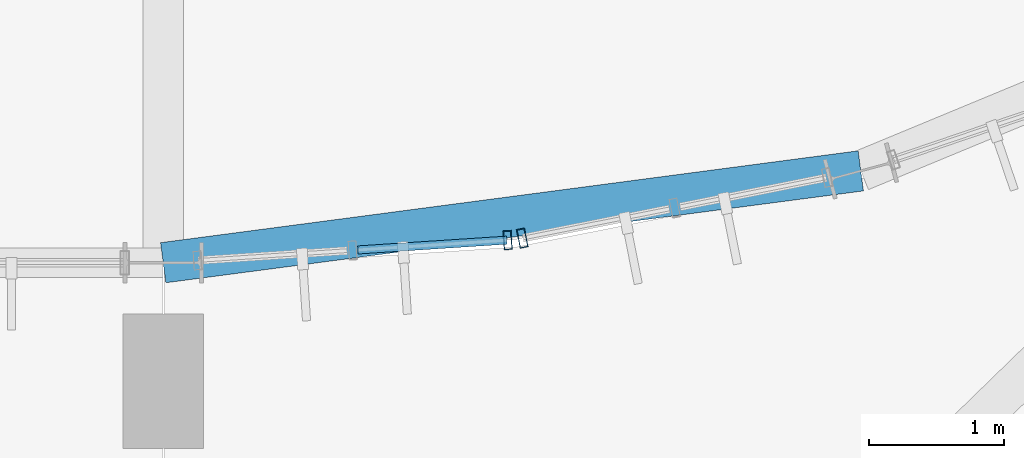
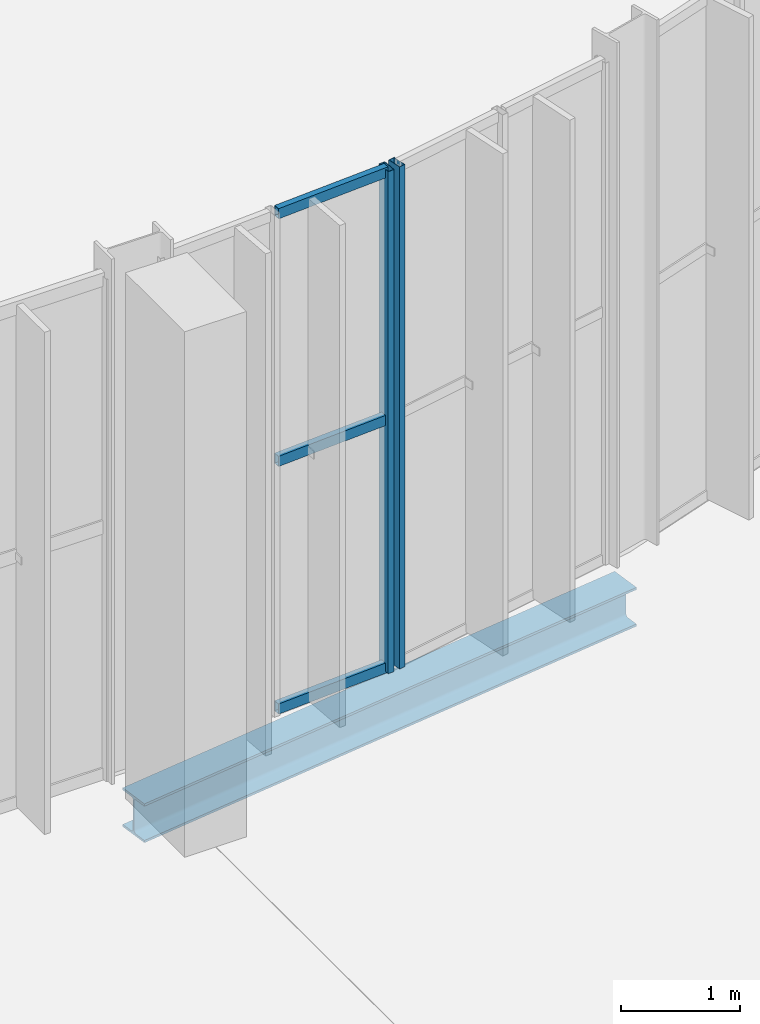
# One storey, part 47 of 158: 5 members, 1 beam, 2 elements without a shape of their own.
"""IFC4 building model written with IfcOpenShell, lengths in metres."""

import ifcopenshell
import ifcopenshell.guid

model = None  # the IFC model being written
_history = None  # IfcOwnerHistory: only IFC2X3 demands one
_inside = {}  # id of a spatial element -> (the spatial element, [elements in it])
_under = {}  # id of a project, library or spatial element -> (it, [spatial elements below it])
_declared = {}  # id of a project -> (the project, [libraries it declares])
_typed = {}  # id of a type object -> (the type object, [elements of that type])
_made_of = {}  # id of a material, layer set ... -> (it, [elements and type objects made of it])


def new_model(schema):
    """Start an empty IFC model of exactly this schema.

    Asked for "IFC4X3", IfcOpenShell would pick the latest addendum, in which some entities
    have other attributes; the version numbers below select the first issue.
    IFC2X3 requires an IfcOwnerHistory on every rooted entity: one is made here for all.
    """
    global model, _history
    if schema == "IFC4X3":
        model = ifcopenshell.file(schema_version=(4, 3, 0, 0))
    else:
        model = ifcopenshell.file(schema=schema)
    _inside.clear()
    _under.clear()
    _declared.clear()
    _typed.clear()
    _made_of.clear()
    _history = None
    if model.schema == "IFC2X3":
        org = make("IfcOrganization", Name="unknown")
        user = make(
            "IfcPersonAndOrganization",
            ThePerson=make("IfcPerson", FamilyName="unknown"),
            TheOrganization=org,
        )
        app = make(
            "IfcApplication",
            ApplicationDeveloper=org,
            Version="unknown",
            ApplicationFullName="unknown",
            ApplicationIdentifier="unknown",
        )
        _history = make(
            "IfcOwnerHistory",
            OwningUser=user,
            OwningApplication=app,
            ChangeAction="ADDED",
            CreationDate=0,
        )
    return model


def make(cls, **values):
    """One entity of the class cls with the attributes given. An attribute that is None is left unset."""
    return model.create_entity(
        cls, **{name: value for name, value in values.items() if value is not None}
    )


def rooted(cls, **values):
    """An entity with a GlobalId (a new one), such as an element, a storey or a relation."""
    return make(cls, GlobalId=ifcopenshell.guid.new(), OwnerHistory=_history, **values)


def si_unit(unit_type, name, prefix=None):
    """IfcSIUnit, for example si_unit("LENGTHUNIT", "METRE", prefix="MILLI")."""
    return make("IfcSIUnit", UnitType=unit_type, Prefix=prefix, Name=name)


def derived_unit(unit_type, elements):
    """IfcDerivedUnit: a product of units, each with its exponent."""
    return make(
        "IfcDerivedUnit",
        Elements=[
            make("IfcDerivedUnitElement", Unit=unit, Exponent=power)
            for unit, power in elements
        ],
        UnitType=unit_type,
    )


def assignment(units):
    """IfcUnitAssignment: the units of a project."""
    return None if units is None else make("IfcUnitAssignment", Units=units)


def point(xyz):
    """IfcCartesianPoint."""
    return None if xyz is None else make("IfcCartesianPoint", Coordinates=xyz)


def direction(xyz):
    """IfcDirection."""
    return None if xyz is None else make("IfcDirection", DirectionRatios=xyz)


def frame(location, z_axis=None, x_axis=None):
    """IfcAxis2Placement3D, a coordinate frame: its origin and axes. An axis left out is left unset."""
    return make(
        "IfcAxis2Placement3D",
        Location=point(location),
        Axis=direction(z_axis),
        RefDirection=direction(x_axis),
    )


def frame_2d(location, x_axis=None):
    """IfcAxis2Placement2D, a coordinate frame in the plane: its origin and x axis."""
    return make(
        "IfcAxis2Placement2D", Location=point(location), RefDirection=direction(x_axis)
    )


def origin():
    """The frame at (0, 0, 0) with its axes left unset."""
    return frame((0.0, 0.0, 0.0))


def origin_2d():
    """The frame at (0, 0) in the plane with its x axis left unset."""
    return frame_2d((0.0, 0.0))


def place(relative_to, where):
    """IfcLocalPlacement: puts the frame where relative to a parent placement (None: the world)."""
    return make(
        "IfcLocalPlacement", PlacementRelTo=relative_to, RelativePlacement=where
    )


def context(
    kind, dimensions, precision=None, world=None, true_north=None, identifier=None
):
    """IfcGeometricRepresentationContext, for example the 3D "Model" context."""
    return make(
        "IfcGeometricRepresentationContext",
        ContextIdentifier=identifier,
        ContextType=kind,
        CoordinateSpaceDimension=dimensions,
        Precision=precision,
        WorldCoordinateSystem=world,
        TrueNorth=true_north,
    )


def subcontext(parent, identifier, kind, view, scale=None):
    """IfcGeometricRepresentationSubContext, for example "Body" below "Model"."""
    return make(
        "IfcGeometricRepresentationSubContext",
        ContextIdentifier=identifier,
        ContextType=kind,
        ParentContext=parent,
        TargetScale=scale,
        TargetView=view,
    )


def project(units=None, contexts=None):
    """IfcProject with its units and contexts."""
    return rooted(
        "IfcProject",
        Name="project",
        RepresentationContexts=contexts,
        UnitsInContext=assignment(units),
    )


def spatial(cls, under=None, at=None, **own):
    """A site, building, storey or space (cls), placed at a placement, below another one or the project."""
    s = rooted(cls, ObjectPlacement=at, **own)
    if under is not None:
        _under.setdefault(under.id(), (under, []))[1].append(s)
    return s


def profile(cls, at=None, kind="AREA", **sizes):
    """A parametric profile (cls). Its sizes go by their IFC names, for example OverallWidth=200.0."""
    return make(cls, ProfileType=kind, Position=at, **sizes)


def hollow_rectangle(**sizes):
    """IfcRectangleHollowProfileDef."""
    return profile("IfcRectangleHollowProfileDef", **sizes)


def i_section(**sizes):
    """IfcIShapeProfileDef."""
    return profile("IfcIShapeProfileDef", **sizes)


def extrude(swept, where, along, depth):
    """IfcExtrudedAreaSolid: the profile swept, set in the frame where, extruded along a direction by depth."""
    return make(
        "IfcExtrudedAreaSolid",
        SweptArea=swept,
        Position=where,
        ExtrudedDirection=direction(along),
        Depth=depth,
    )


def shape(context_of_items, identifier, shape_type, items):
    """IfcShapeRepresentation: the items that make up one representation, for example the "Body"."""
    return make(
        "IfcShapeRepresentation",
        ContextOfItems=context_of_items,
        RepresentationIdentifier=identifier,
        RepresentationType=shape_type,
        Items=items,
    )


def material(Name=None, Category=None):
    """IfcMaterial."""
    return make("IfcMaterial", Name=Name, Category=Category)


def material_profile(
    of_material, cross_section, Name=None, Category=None, Priority=None
):
    """IfcMaterialProfile: a cross section and its material."""
    return make(
        "IfcMaterialProfile",
        Name=Name,
        Material=of_material,
        Profile=cross_section,
        Priority=Priority,
        Category=Category,
    )


def profile_set(profiles, Name=None, composite=None):
    """IfcMaterialProfileSet."""
    return make(
        "IfcMaterialProfileSet",
        Name=Name,
        MaterialProfiles=profiles,
        CompositeProfile=composite,
    )


def made_of(thing, what):
    """Note that an element or type object is made of a material, layer set ...; save() writes the relation."""
    if what is not None:
        _made_of.setdefault(what.id(), (what, []))[1].append(thing)
    return thing


def type_object(cls, material=None, **own):
    """A type object (cls), such as IfcWallType, which elements share."""
    return made_of(rooted(cls, **own), material)


def element(
    cls,
    number,
    at=None,
    inside=None,
    cuts=None,
    type_object=None,
    material=None,
    context=None,
    identifier="Body",
    shape_type=None,
    held_by="IfcProductDefinitionShape",
    body=None,
    shapes=None,
    **own,
):
    """One element of the class cls, such as IfcWall. Its Tag is "e" and its number.

    at: its placement. inside: the storey or other place that contains it. cuts: it is an
    opening in that element (IfcRelVoidsElement). A single representation is given by context,
    identifier, shape_type and body (its items); several are given by shapes. held_by: the class
    of the entity that holds the representations. save() writes the other relations.
    """
    e = rooted(cls, Tag="e%d" % number, ObjectPlacement=at, **own)
    if body is not None:
        shapes = [shape(context, identifier, shape_type, body)]
    if shapes is not None:
        e.Representation = make(held_by, Representations=shapes)
    if inside is not None:
        _inside.setdefault(inside.id(), (inside, []))[1].append(e)
    if cuts is not None:
        rooted(
            "IfcRelVoidsElement", RelatingBuildingElement=cuts, RelatedOpeningElement=e
        )
    if type_object is not None:
        _typed.setdefault(type_object.id(), (type_object, []))[1].append(e)
    return made_of(e, material)


def aggregate(whole, parts):
    """IfcRelAggregates: a whole, such as a stair, and the parts it consists of."""
    return rooted("IfcRelAggregates", RelatingObject=whole, RelatedObjects=parts)


def save(model, path):
    """Write the relations noted so far, then the file.

    IfcRelAggregates (storeys below a building ...), IfcRelContainedInSpatialStructure (elements
    in a storey), IfcRelDefinesByType, IfcRelAssociatesMaterial and IfcRelDeclares: one each for
    every whole, place, type object, material and project.
    """
    for whole, parts in _under.values():
        aggregate(whole, parts)
    for where, things in _inside.values():
        rooted(
            "IfcRelContainedInSpatialStructure",
            RelatedElements=things,
            RelatingStructure=where,
        )
    for kind, things in _typed.values():
        rooted("IfcRelDefinesByType", RelatedObjects=things, RelatingType=kind)
    for what, things in _made_of.values():
        rooted("IfcRelAssociatesMaterial", RelatedObjects=things, RelatingMaterial=what)
    for by, libraries in _declared.values():
        rooted("IfcRelDeclares", RelatingContext=by, RelatedDefinitions=libraries)
    model.write(path)


model = new_model("IFC4")

# Units and contexts
model_context = context("Model", 3, precision=1e-05, world=origin(), true_north=direction((0.0, 1.0)))
body_context = subcontext(model_context, "Body", "Model", "MODEL_VIEW")
ifc_project = project(units=[si_unit("LENGTHUNIT", "METRE"), si_unit("AREAUNIT", "SQUARE_METRE"), si_unit("VOLUMEUNIT", "CUBIC_METRE"), si_unit("PLANEANGLEUNIT", "RADIAN"), si_unit("MASSUNIT", "GRAM", prefix="KILO"), si_unit("THERMODYNAMICTEMPERATUREUNIT", "KELVIN"), si_unit("TIMEUNIT", "SECOND"), derived_unit("THERMALTRANSMITTANCEUNIT", [(si_unit("MASSUNIT", "GRAM", prefix="KILO"), 1), (si_unit("THERMODYNAMICTEMPERATUREUNIT", "KELVIN"), -1), (si_unit("TIMEUNIT", "SECOND"), -3)])], contexts=[model_context])

# Site, building, storey
site_placement = place(None, origin())
site = spatial("IfcSite", under=ifc_project, at=site_placement, CompositionType="ELEMENT")
building_placement = place(site_placement, origin())
building = spatial("IfcBuilding", under=site, at=building_placement, Name="Cambertide Market Hall", CompositionType="ELEMENT")
storey_placement = place(building_placement, origin())
storey = spatial("IfcBuildingStorey", under=building, at=storey_placement, Name="L01", CompositionType="ELEMENT", Elevation=0.0)

# Curtain wall, member
ifc_material_1 = material(Name="Marine Anodized Aluminium 6063-T6 AA25", Category="aluminium")
curtain_wall_type = type_object("IfcCurtainWallType", Name="Lantern Apse Chord Lower Curtain Wall", PredefinedType="USERDEFINED", material=ifc_material_1)
curtain_wall_1_placement = place(storey_placement, origin())
curtain_wall_1 = element("IfcCurtainWall", 1, at=curtain_wall_1_placement, inside=storey, type_object=curtain_wall_type, Name="Level 1 Curtain Wall CW-V1AE-L01-01", ObjectType="UNITIZED CURTAIN WALL", PredefinedType="USERDEFINED")
ifc_material_2 = material(Name="Champagne Marine Anodized Aluminium 6063-T6 AA25", Category="aluminium")
ifc_material_profile_1 = material_profile(ifc_material_2, hollow_rectangle(XDim=0.06005859375, YDim=0.139892578125, WallThickness=0.00341796875, at=origin_2d()), Name="ALU MULLION 60x140")
ifc_profile_set_1 = profile_set([ifc_material_profile_1], Name="Champagne Marine Anodized Aluminium 6063-T6 AA25")
member_type_1 = type_object("IfcMemberType", Name="Curtain Wall Mullion ALU MULLION 60x140", PredefinedType="MULLION", material=ifc_profile_set_1)
member_1_placement = place(storey_placement, frame((107.5556640625, 52.16748046875, 0.0), z_axis=(0.0, 0.0, 1.0), x_axis=(-0.997858917819, -0.065403211921, 0.0)))
member_1 = element("IfcMember", 2, at=member_1_placement, type_object=member_type_1, Name="CW-V1AE-L01-01 Mullion 1", PredefinedType="MULLION", context=body_context, shape_type="SweptSolid", body=[
    extrude(hollow_rectangle(XDim=0.06005859375, YDim=0.139892578125, WallThickness=0.00341796875, at=origin_2d()), origin(), (0.0, 0.0, 1.0), 5.159912109375),
])

curtain_wall_2_placement = place(storey_placement, origin())
curtain_wall_2 = element("IfcCurtainWall", 3, at=curtain_wall_2_placement, inside=storey, type_object=curtain_wall_type, Name="Level 1 Curtain Wall CW-V1AE-L01-02", ObjectType="UNITIZED CURTAIN WALL", PredefinedType="USERDEFINED")
member_2_placement = place(storey_placement, frame((107.66455078125, 52.181884765625, 0.0), z_axis=(0.0, 0.0, 1.0), x_axis=(-0.980785330885, -0.195090068226, 0.0)))
member_2 = element("IfcMember", 4, at=member_2_placement, type_object=member_type_1, Name="CW-V1AE-L01-02 Mullion 3", PredefinedType="MULLION", context=body_context, shape_type="SweptSolid", body=[
    extrude(hollow_rectangle(XDim=0.06005859375, YDim=0.139892578125, WallThickness=0.00341796875, at=origin_2d()), origin(), (0.0, 0.0, 1.0), 5.159912109375),
])
aggregate(curtain_wall_2, [member_2])

# Member
ifc_material_3 = material(Name="Champagne Marine Anodized Aluminium 6063-T6 AA25", Category="aluminium")
ifc_material_profile_2 = material_profile(ifc_material_3, hollow_rectangle(XDim=0.06005859375, YDim=0.10498046875, WallThickness=0.0029296875, at=origin_2d()), Name="ALU TRANSOM 60x105")
ifc_profile_set_2 = profile_set([ifc_material_profile_2], Name="Champagne Marine Anodized Aluminium 6063-T6 AA25")
member_type_2 = type_object("IfcMemberType", Name="Curtain Wall Transom ALU TRANSOM 60x105", PredefinedType="USERDEFINED", material=ifc_profile_set_2)
member_3_placement = place(storey_placement, frame((107.550537109375, 52.167236328125, 0.034912109375), z_axis=(-0.997855769469, -0.065451228695, 0.0), x_axis=(0.065451228695, -0.997855769469, 0.0)))
member_3 = element("IfcMember", 5, at=member_3_placement, type_object=member_type_2, Name="CW-V1AE-L01-01 Transom 1-1", ObjectType="TRANSOM", PredefinedType="USERDEFINED", context=body_context, shape_type="SweptSolid", body=[
    extrude(hollow_rectangle(XDim=0.06005859375, YDim=0.10498046875, WallThickness=0.0029296875, at=origin_2d()), origin(), (0.0, 0.0, 1.0), 1.10791015625),
])

member_4_placement = place(storey_placement, frame((107.550537109375, 52.167236328125, 2.580078125), z_axis=(-0.997855769469, -0.065451228695, 0.0), x_axis=(0.065451228695, -0.997855769469, 0.0)))
member_4 = element("IfcMember", 6, at=member_4_placement, type_object=member_type_2, Name="CW-V1AE-L01-01 Transom 2-1", ObjectType="TRANSOM", PredefinedType="USERDEFINED", context=body_context, shape_type="SweptSolid", body=[
    extrude(hollow_rectangle(XDim=0.06005859375, YDim=0.10498046875, WallThickness=0.0029296875, at=origin_2d()), origin(), (0.0, 0.0, 1.0), 1.10791015625),
])

member_5_placement = place(storey_placement, frame((107.550537109375, 52.167236328125, 5.125), z_axis=(-0.997855769469, -0.065451228695, 0.0), x_axis=(0.065451228695, -0.997855769469, 0.0)))
member_5 = element("IfcMember", 7, at=member_5_placement, type_object=member_type_2, Name="CW-V1AE-L01-01 Transom 3-1", ObjectType="TRANSOM", PredefinedType="USERDEFINED", context=body_context, shape_type="SweptSolid", body=[
    extrude(hollow_rectangle(XDim=0.06005859375, YDim=0.10498046875, WallThickness=0.0029296875, at=origin_2d()), origin(), (0.0, 0.0, 1.0), 1.10791015625),
])

aggregate(curtain_wall_1, [member_1, member_3, member_4, member_5])

# Beam
ifc_material_4 = material(Name="Steel S355", Category="steel")
ifc_material_profile_3 = material_profile(ifc_material_4, i_section(OverallWidth=0.300048828125, OverallDepth=0.39990234375, WebThickness=0.013427734375, FlangeThickness=0.02392578125, FilletRadius=0.027099609375, at=origin_2d()), Name="HEB 400")
ifc_profile_set_3 = profile_set([ifc_material_profile_3], Name="Steel S355")
beam_type = type_object("IfcBeamType", Name="Steel Girder HEB 400", PredefinedType="BEAM", material=ifc_profile_set_3)
beam_placement = place(storey_placement, frame((105.0, 52.0, -0.510009765625), z_axis=(0.991446654043, 0.130512574825, 0.0), x_axis=(-0.130512574825, 0.991446654043, 0.0)))
element("IfcBeam", 8, at=beam_placement, inside=storey, type_object=beam_type, Name="Level 1 Beam BM-V1AE-L01-1", PredefinedType="BEAM", context=body_context, shape_type="SweptSolid", body=[
    extrude(i_section(OverallWidth=0.300048828125, OverallDepth=0.39990234375, WebThickness=0.013427734375, FlangeThickness=0.02392578125, FilletRadius=0.027099609375, at=origin_2d()), origin(), (0.0, 0.0, 1.0), 5.220947265625),
])

save(model, "model.ifc")
